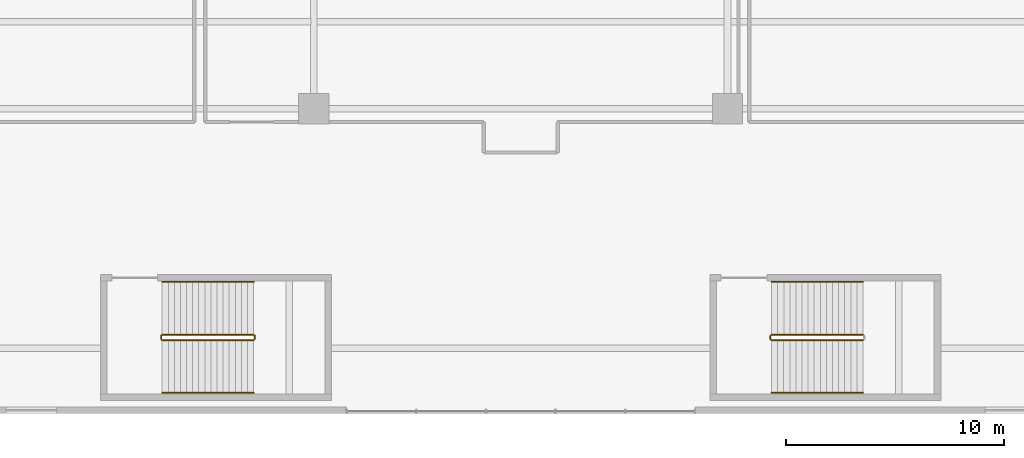
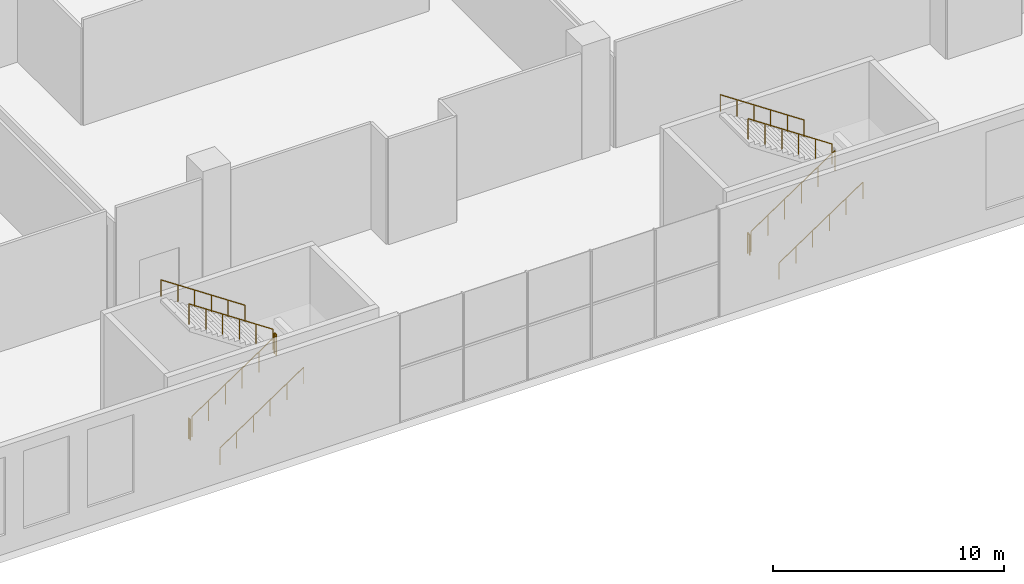
# One storey, part 18 of 25: 11 railings.
"""IFC4 building model written with IfcOpenShell, lengths in metres."""

from ifc_helpers import new_model, si_unit, direction, frame, origin, origin_2d, place, context, subcontext, project, spatial, circle, extrude, material, type_object, element, save


model = new_model("IFC4")

# Units and contexts
model_context = context("Model", 3, precision=1e-05, world=origin(), true_north=direction((0.0, 1.0)))
body_context = subcontext(model_context, "Body", "Model", "MODEL_VIEW")
ifc_project = project(units=[si_unit("LENGTHUNIT", "METRE"), si_unit("AREAUNIT", "SQUARE_METRE"), si_unit("VOLUMEUNIT", "CUBIC_METRE"), si_unit("PLANEANGLEUNIT", "RADIAN"), si_unit("MASSUNIT", "GRAM", prefix="KILO")], contexts=[model_context])

# Site, building, storey
site_placement = place(None, origin())
site = spatial("IfcSite", under=ifc_project, at=site_placement, CompositionType="ELEMENT")
building_placement = place(site_placement, origin())
building = spatial("IfcBuilding", under=site, at=building_placement, Name="Tel Ilan Convention Tower", CompositionType="ELEMENT")
storey_placement = place(building_placement, frame((0.0, 0.0, 26.0)))
storey = spatial("IfcBuildingStorey", under=building, at=storey_placement, Name="L03", CompositionType="ELEMENT", Elevation=26.0)

# Railings
ifc_material_1 = material(Name="Stainless Steel Grade 316", Category="steel")
railing_type_1 = type_object("IfcRailingType", Name="Stainless Steel Stair Guard 1100 mm", PredefinedType="GUARDRAIL", material=ifc_material_1)
railing_1_placement = place(storey_placement, frame((-16.47509765625, -78.625, 0.1875)))
element("IfcRailing", 1, at=railing_1_placement, inside=storey, type_object=railing_type_1, Name="L03 P2 stair guard 1", PredefinedType="GUARDRAIL", context=body_context, shape_type="SweptSolid", body=[
    extrude(circle(Radius=0.02392578125, at=origin_2d()), frame((0.0, 0.0, 1.076171875), z_axis=(0.830919138977, 0.0, 0.55639319234), x_axis=(0.0, 1.0, 0.0)), (0.0, 0.0, 1.0), 5.054931640625),
    extrude(circle(Radius=0.02099609375, at=origin_2d()), origin(), (0.0, 0.0, 1.0), 1.052001953125),
    extrude(circle(Radius=0.02099609375, at=origin_2d()), frame((0.840087890625, 0.0, 0.5625)), (0.0, 0.0, 1.0), 1.052001953125),
    extrude(circle(Radius=0.02099609375, at=origin_2d()), frame((1.68017578125, 0.0, 1.125)), (0.0, 0.0, 1.0), 1.052001953125),
    extrude(circle(Radius=0.02099609375, at=origin_2d()), frame((2.52001953125, 0.0, 1.6875)), (0.0, 0.0, 1.0), 1.052001953125),
    extrude(circle(Radius=0.02099609375, at=origin_2d()), frame((3.360107421875, 0.0, 2.25)), (0.0, 0.0, 1.0), 1.052001953125),
    extrude(circle(Radius=0.02099609375, at=origin_2d()), frame((4.2001953125, 0.0, 2.8125)), (0.0, 0.0, 1.0), 1.052001953125),
])
railing_2_placement = place(storey_placement, frame((-12.22509765625, -78.574951171875, 3.0)))
element("IfcRailing", 2, at=railing_2_placement, inside=storey, type_object=railing_type_1, Name="L03 P2 stair guard 2", PredefinedType="GUARDRAIL", context=body_context, shape_type="SweptSolid", body=[
    extrude(circle(Radius=0.02392578125, at=origin_2d()), frame((0.0, 0.0, 1.076171875), z_axis=(0.0, 1.0, 0.0), x_axis=(-1.0, 0.0, 0.0)), (0.0, 0.0, 1.0), 0.14990234375),
    extrude(circle(Radius=0.02099609375, at=origin_2d()), origin(), (0.0, 0.0, 1.0), 1.052001953125),
    extrude(circle(Radius=0.02099609375, at=origin_2d()), frame((0.0, 0.14990234375, 0.0)), (0.0, 0.0, 1.0), 1.052001953125),
])
railing_3_placement = place(storey_placement, frame((-12.27490234375, -78.375, 3.1875)))
element("IfcRailing", 3, at=railing_3_placement, inside=storey, type_object=railing_type_1, Name="L03 P2 stair guard 3", PredefinedType="GUARDRAIL", context=body_context, shape_type="SweptSolid", body=[
    extrude(circle(Radius=0.02392578125, at=origin_2d()), frame((0.0, 0.0, 1.076171875), z_axis=(-0.830919138977, 0.0, 0.55639319234), x_axis=(0.0, -1.0, 0.0)), (0.0, 0.0, 1.0), 5.054931640625),
    extrude(circle(Radius=0.02099609375, at=origin_2d()), origin(), (0.0, 0.0, 1.0), 1.052001953125),
    extrude(circle(Radius=0.02099609375, at=origin_2d()), frame((-0.840087890625, 0.0, 0.5625)), (0.0, 0.0, 1.0), 1.052001953125),
    extrude(circle(Radius=0.02099609375, at=origin_2d()), frame((-1.68017578125, 0.0, 1.125)), (0.0, 0.0, 1.0), 1.052001953125),
    extrude(circle(Radius=0.02099609375, at=origin_2d()), frame((-2.52001953125, 0.0, 1.6875)), (0.0, 0.0, 1.0), 1.052001953125),
    extrude(circle(Radius=0.02099609375, at=origin_2d()), frame((-3.360107421875, 0.0, 2.25)), (0.0, 0.0, 1.0), 1.052001953125),
    extrude(circle(Radius=0.02099609375, at=origin_2d()), frame((-4.2001953125, 0.0, 2.8125)), (0.0, 0.0, 1.0), 1.052001953125),
])
railing_4_placement = place(storey_placement, frame((-16.52490234375, -78.574951171875, 0.0)))
element("IfcRailing", 4, at=railing_4_placement, inside=storey, type_object=railing_type_1, Name="L03 P2 stair guard 4", PredefinedType="GUARDRAIL", context=body_context, shape_type="SweptSolid", body=[
    extrude(circle(Radius=0.02392578125, at=origin_2d()), frame((0.0, 0.0, 1.076171875), z_axis=(0.0, 1.0, 0.0), x_axis=(-1.0, 0.0, 0.0)), (0.0, 0.0, 1.0), 0.14990234375),
    extrude(circle(Radius=0.02099609375, at=origin_2d()), origin(), (0.0, 0.0, 1.0), 1.052001953125),
    extrude(circle(Radius=0.02099609375, at=origin_2d()), frame((0.0, 0.14990234375, 0.0)), (0.0, 0.0, 1.0), 1.052001953125),
])
railing_5_placement = place(storey_placement, frame((11.52490234375, -78.625, 0.1875)))
element("IfcRailing", 5, at=railing_5_placement, inside=storey, type_object=railing_type_1, Name="L03 P3 stair guard 1", PredefinedType="GUARDRAIL", context=body_context, shape_type="SweptSolid", body=[
    extrude(circle(Radius=0.02392578125, at=origin_2d()), frame((0.0, 0.0, 1.076171875), z_axis=(0.830919138977, 0.0, 0.55639319234), x_axis=(0.0, 1.0, 0.0)), (0.0, 0.0, 1.0), 5.054931640625),
    extrude(circle(Radius=0.02099609375, at=origin_2d()), origin(), (0.0, 0.0, 1.0), 1.052001953125),
    extrude(circle(Radius=0.02099609375, at=origin_2d()), frame((0.840087890625, 0.0, 0.5625)), (0.0, 0.0, 1.0), 1.052001953125),
    extrude(circle(Radius=0.02099609375, at=origin_2d()), frame((1.68017578125, 0.0, 1.125)), (0.0, 0.0, 1.0), 1.052001953125),
    extrude(circle(Radius=0.02099609375, at=origin_2d()), frame((2.52001953125, 0.0, 1.6875)), (0.0, 0.0, 1.0), 1.052001953125),
    extrude(circle(Radius=0.02099609375, at=origin_2d()), frame((3.360107421875, 0.0, 2.25)), (0.0, 0.0, 1.0), 1.052001953125),
    extrude(circle(Radius=0.02099609375, at=origin_2d()), frame((4.2001953125, 0.0, 2.8125)), (0.0, 0.0, 1.0), 1.052001953125),
])
railing_6_placement = place(storey_placement, frame((15.72509765625, -78.375, 3.1875)))
element("IfcRailing", 6, at=railing_6_placement, inside=storey, type_object=railing_type_1, Name="L03 P3 stair guard 3", PredefinedType="GUARDRAIL", context=body_context, shape_type="SweptSolid", body=[
    extrude(circle(Radius=0.02392578125, at=origin_2d()), frame((0.0, 0.0, 1.076171875), z_axis=(-0.830919138977, 0.0, 0.55639319234), x_axis=(0.0, -1.0, 0.0)), (0.0, 0.0, 1.0), 5.054931640625),
    extrude(circle(Radius=0.02099609375, at=origin_2d()), origin(), (0.0, 0.0, 1.0), 1.052001953125),
    extrude(circle(Radius=0.02099609375, at=origin_2d()), frame((-0.840087890625, 0.0, 0.5625)), (0.0, 0.0, 1.0), 1.052001953125),
    extrude(circle(Radius=0.02099609375, at=origin_2d()), frame((-1.68017578125, 0.0, 1.125)), (0.0, 0.0, 1.0), 1.052001953125),
    extrude(circle(Radius=0.02099609375, at=origin_2d()), frame((-2.52001953125, 0.0, 1.6875)), (0.0, 0.0, 1.0), 1.052001953125),
    extrude(circle(Radius=0.02099609375, at=origin_2d()), frame((-3.360107421875, 0.0, 2.25)), (0.0, 0.0, 1.0), 1.052001953125),
    extrude(circle(Radius=0.02099609375, at=origin_2d()), frame((-4.2001953125, 0.0, 2.8125)), (0.0, 0.0, 1.0), 1.052001953125),
])
railing_7_placement = place(storey_placement, frame((11.47509765625, -78.574951171875, 0.0)))
element("IfcRailing", 7, at=railing_7_placement, inside=storey, type_object=railing_type_1, Name="L03 P3 stair guard 4", PredefinedType="GUARDRAIL", context=body_context, shape_type="SweptSolid", body=[
    extrude(circle(Radius=0.02392578125, at=origin_2d()), frame((0.0, 0.0, 1.076171875), z_axis=(0.0, 1.0, 0.0), x_axis=(-1.0, 0.0, 0.0)), (0.0, 0.0, 1.0), 0.14990234375),
    extrude(circle(Radius=0.02099609375, at=origin_2d()), origin(), (0.0, 0.0, 1.0), 1.052001953125),
    extrude(circle(Radius=0.02099609375, at=origin_2d()), frame((0.0, 0.14990234375, 0.0)), (0.0, 0.0, 1.0), 1.052001953125),
])
ifc_material_2 = material(Name="Stainless Steel Grade 316", Category="steel")
railing_type_2 = type_object("IfcRailingType", Name="Stainless Steel Stair Handrail 900 mm", PredefinedType="HANDRAIL", material=ifc_material_2)
railing_8_placement = place(storey_placement, frame((-16.47509765625, -81.050048828125, 0.1875)))
element("IfcRailing", 8, at=railing_8_placement, inside=storey, type_object=railing_type_2, Name="L03 P2 stair handrail 1", PredefinedType="HANDRAIL", context=body_context, shape_type="SweptSolid", body=[
    extrude(circle(Radius=0.02392578125, at=origin_2d()), frame((0.0, 0.0, 0.8759765625), z_axis=(0.830919138977, 0.0, 0.55639319234), x_axis=(0.0, 1.0, 0.0)), (0.0, 0.0, 1.0), 5.054931640625),
    extrude(circle(Radius=0.02099609375, at=origin_2d()), origin(), (0.0, 0.0, 1.0), 0.851806640625),
    extrude(circle(Radius=0.02099609375, at=origin_2d()), frame((0.840087890625, 0.0, 0.5625)), (0.0, 0.0, 1.0), 0.851806640625),
    extrude(circle(Radius=0.02099609375, at=origin_2d()), frame((1.68017578125, 0.0, 1.125)), (0.0, 0.0, 1.0), 0.851806640625),
    extrude(circle(Radius=0.02099609375, at=origin_2d()), frame((2.52001953125, 0.0, 1.6875)), (0.0, 0.0, 1.0), 0.851806640625),
    extrude(circle(Radius=0.02099609375, at=origin_2d()), frame((3.360107421875, 0.0, 2.25)), (0.0, 0.0, 1.0), 0.851806640625),
    extrude(circle(Radius=0.02099609375, at=origin_2d()), frame((4.2001953125, 0.0, 2.8125)), (0.0, 0.0, 1.0), 0.851806640625),
])
railing_9_placement = place(storey_placement, frame((-12.27490234375, -75.949951171875, 3.1875)))
element("IfcRailing", 9, at=railing_9_placement, inside=storey, type_object=railing_type_2, Name="L03 P2 stair handrail 2", PredefinedType="HANDRAIL", context=body_context, shape_type="SweptSolid", body=[
    extrude(circle(Radius=0.02392578125, at=origin_2d()), frame((0.0, 0.0, 0.8759765625), z_axis=(-0.830919138977, 0.0, 0.55639319234), x_axis=(0.0, -1.0, 0.0)), (0.0, 0.0, 1.0), 5.054931640625),
    extrude(circle(Radius=0.02099609375, at=origin_2d()), origin(), (0.0, 0.0, 1.0), 0.851806640625),
    extrude(circle(Radius=0.02099609375, at=origin_2d()), frame((-0.840087890625, 0.0, 0.5625)), (0.0, 0.0, 1.0), 0.851806640625),
    extrude(circle(Radius=0.02099609375, at=origin_2d()), frame((-1.68017578125, 0.0, 1.125)), (0.0, 0.0, 1.0), 0.851806640625),
    extrude(circle(Radius=0.02099609375, at=origin_2d()), frame((-2.52001953125, 0.0, 1.6875)), (0.0, 0.0, 1.0), 0.851806640625),
    extrude(circle(Radius=0.02099609375, at=origin_2d()), frame((-3.360107421875, 0.0, 2.25)), (0.0, 0.0, 1.0), 0.851806640625),
    extrude(circle(Radius=0.02099609375, at=origin_2d()), frame((-4.2001953125, 0.0, 2.8125)), (0.0, 0.0, 1.0), 0.851806640625),
])
railing_10_placement = place(storey_placement, frame((11.52490234375, -81.050048828125, 0.1875)))
element("IfcRailing", 10, at=railing_10_placement, inside=storey, type_object=railing_type_2, Name="L03 P3 stair handrail 1", PredefinedType="HANDRAIL", context=body_context, shape_type="SweptSolid", body=[
    extrude(circle(Radius=0.02392578125, at=origin_2d()), frame((0.0, 0.0, 0.8759765625), z_axis=(0.830919138977, 0.0, 0.55639319234), x_axis=(0.0, 1.0, 0.0)), (0.0, 0.0, 1.0), 5.054931640625),
    extrude(circle(Radius=0.02099609375, at=origin_2d()), origin(), (0.0, 0.0, 1.0), 0.851806640625),
    extrude(circle(Radius=0.02099609375, at=origin_2d()), frame((0.840087890625, 0.0, 0.5625)), (0.0, 0.0, 1.0), 0.851806640625),
    extrude(circle(Radius=0.02099609375, at=origin_2d()), frame((1.68017578125, 0.0, 1.125)), (0.0, 0.0, 1.0), 0.851806640625),
    extrude(circle(Radius=0.02099609375, at=origin_2d()), frame((2.52001953125, 0.0, 1.6875)), (0.0, 0.0, 1.0), 0.851806640625),
    extrude(circle(Radius=0.02099609375, at=origin_2d()), frame((3.360107421875, 0.0, 2.25)), (0.0, 0.0, 1.0), 0.851806640625),
    extrude(circle(Radius=0.02099609375, at=origin_2d()), frame((4.2001953125, 0.0, 2.8125)), (0.0, 0.0, 1.0), 0.851806640625),
])
railing_11_placement = place(storey_placement, frame((15.72509765625, -75.949951171875, 3.1875)))
element("IfcRailing", 11, at=railing_11_placement, inside=storey, type_object=railing_type_2, Name="L03 P3 stair handrail 2", PredefinedType="HANDRAIL", context=body_context, shape_type="SweptSolid", body=[
    extrude(circle(Radius=0.02392578125, at=origin_2d()), frame((0.0, 0.0, 0.8759765625), z_axis=(-0.830919138977, 0.0, 0.55639319234), x_axis=(0.0, -1.0, 0.0)), (0.0, 0.0, 1.0), 5.054931640625),
    extrude(circle(Radius=0.02099609375, at=origin_2d()), origin(), (0.0, 0.0, 1.0), 0.851806640625),
    extrude(circle(Radius=0.02099609375, at=origin_2d()), frame((-0.840087890625, 0.0, 0.5625)), (0.0, 0.0, 1.0), 0.851806640625),
    extrude(circle(Radius=0.02099609375, at=origin_2d()), frame((-1.68017578125, 0.0, 1.125)), (0.0, 0.0, 1.0), 0.851806640625),
    extrude(circle(Radius=0.02099609375, at=origin_2d()), frame((-2.52001953125, 0.0, 1.6875)), (0.0, 0.0, 1.0), 0.851806640625),
    extrude(circle(Radius=0.02099609375, at=origin_2d()), frame((-3.360107421875, 0.0, 2.25)), (0.0, 0.0, 1.0), 0.851806640625),
    extrude(circle(Radius=0.02099609375, at=origin_2d()), frame((-4.2001953125, 0.0, 2.8125)), (0.0, 0.0, 1.0), 0.851806640625),
])

save(model, "model.ifc")
